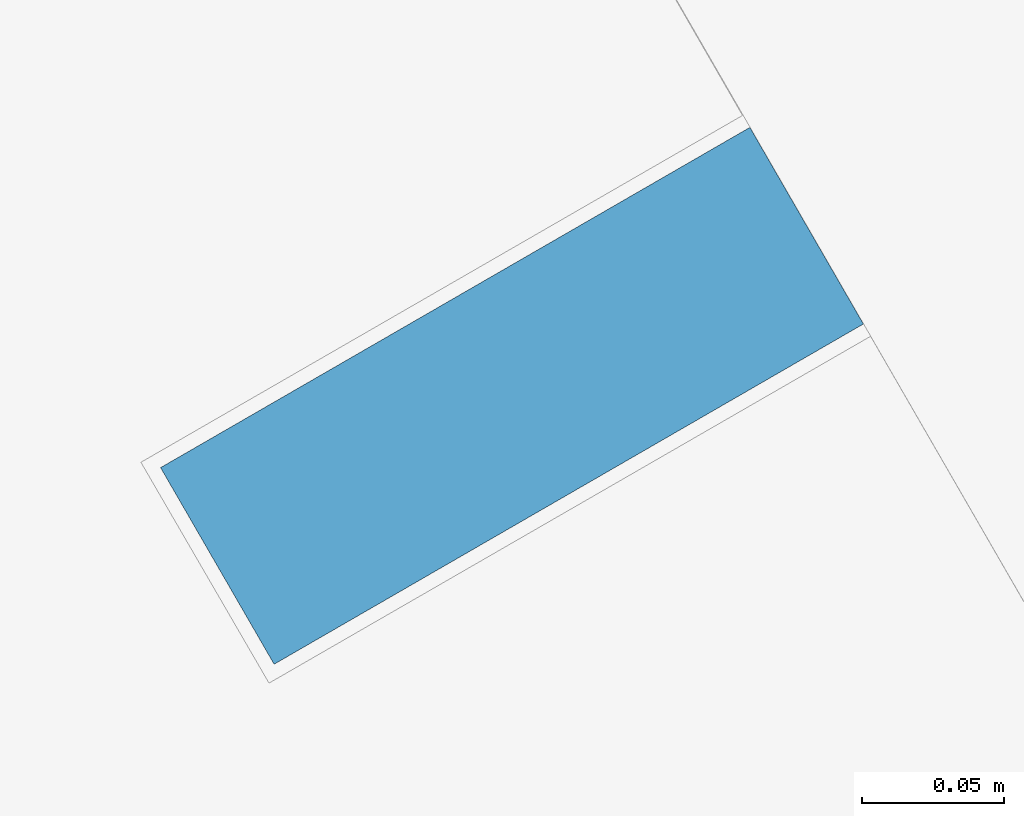
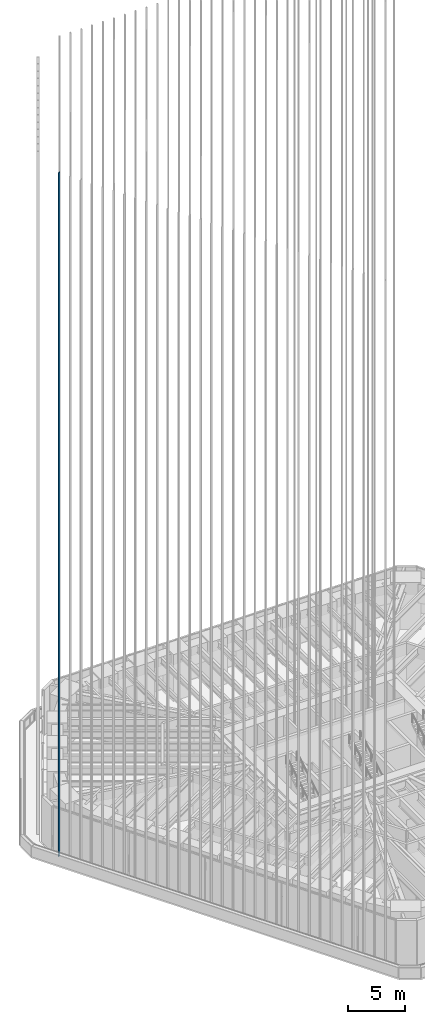
# One storey, part 129 of 228: 1 member, 1 element without a shape of its own.
"""IFC4 building model written with IfcOpenShell, lengths in metres."""

from ifc_helpers import new_model, si_unit, direction, frame, origin, origin_2d, place, context, subcontext, project, spatial, rectangle, extrude, material, material_profile, profile_set, type_object, element, aggregate, save


model = new_model("IFC4")

# Units and contexts
model_context = context("Model", 3, precision=1e-05, world=origin(), true_north=direction((0.0, 1.0)))
body_context = subcontext(model_context, "Body", "Model", "MODEL_VIEW")
ifc_project = project(units=[si_unit("LENGTHUNIT", "METRE"), si_unit("AREAUNIT", "SQUARE_METRE"), si_unit("VOLUMEUNIT", "CUBIC_METRE"), si_unit("PLANEANGLEUNIT", "RADIAN"), si_unit("MASSUNIT", "GRAM", prefix="KILO")], contexts=[model_context])

# Site, building, storey
site_placement = place(None, origin())
site = spatial("IfcSite", under=ifc_project, at=site_placement, CompositionType="ELEMENT")
building_placement = place(site_placement, origin())
building = spatial("IfcBuilding", under=site, at=building_placement, Name="Sandreach Pilgrim Tower", CompositionType="ELEMENT")
storey_placement = place(building_placement, frame((0.0, 0.0, 178.199951171875)))
storey = spatial("IfcBuildingStorey", under=building, at=storey_placement, Name="L44", CompositionType="ELEMENT", Elevation=178.199951171875)

# Curtain wall, member
ifc_material_1 = material(Name="Aluminium framed curtain wall", Category="aluminium")
curtain_wall_type = type_object("IfcCurtainWallType", Name="Upper hotel tower curtain wall", PredefinedType="NOTDEFINED", material=ifc_material_1)
curtain_wall_placement = place(storey_placement, origin())
curtain_wall = element("IfcCurtainWall", 1, at=curtain_wall_placement, inside=storey, type_object=curtain_wall_type, Name="CW-3 L44 SW", PredefinedType="NOTDEFINED")
ifc_material_2 = material(Name="Extruded terracotta on aluminium core", Category="masonry")
ifc_material_profile = material_profile(ifc_material_2, rectangle(XDim=0.080078125, YDim=0.239990234375, at=origin_2d()), Name="TBW 80X240")
ifc_profile_set = profile_set([ifc_material_profile], Name="Extruded terracotta on aluminium core")
member_type = type_object("IfcMemberType", Name="Terracotta baguette west", PredefinedType="USERDEFINED", material=ifc_profile_set)
member_placement = place(storey_placement, frame((-26.9541015625, 3.525634765625, 0.0), z_axis=(0.0, 0.0, 1.0), x_axis=(-0.5, 0.866025403784, 0.0)))
member = element("IfcMember", 2, at=member_placement, type_object=member_type, Name="Baguette Z3 SW31", ObjectType="BAGUETTE", PredefinedType="USERDEFINED", context=body_context, shape_type="SweptSolid", body=[
    extrude(rectangle(XDim=0.080078125, YDim=0.239990234375, at=origin_2d()), origin(), (0.0, 0.0, 1.0), 73.239990234375),
])
aggregate(curtain_wall, [member])

save(model, "model.ifc")
